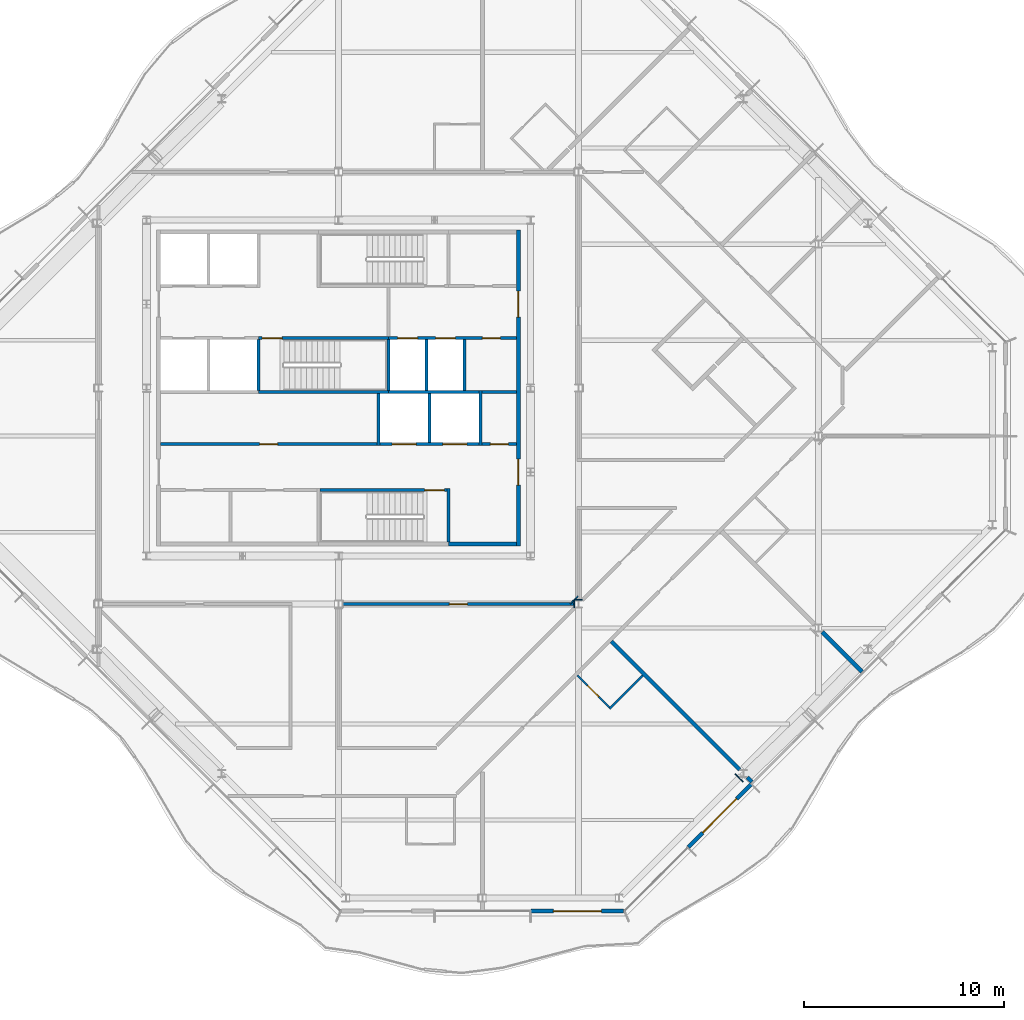
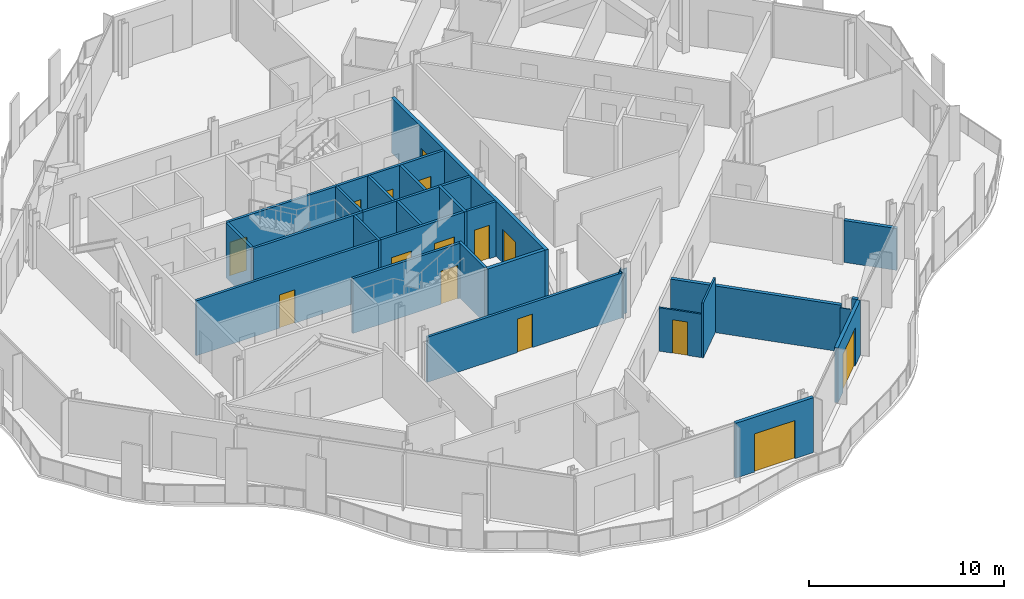
# One storey, part 8 of 16: 31 walls, 15 doors, 15 openings.
"""IFC4 building model written with IfcOpenShell, lengths in metres."""

from ifc_helpers import new_model, si_unit, direction, frame, frame_2d, origin, place, context, subcontext, project, spatial, rectangle, extrude, material, layer, layer_set, type_object, element, fill, save


model = new_model("IFC4")

# Units and contexts
model_context = context("Model", 3, precision=1e-05, world=origin(), true_north=direction((0.0, 1.0)))
body_context = subcontext(model_context, "Body", "Model", "MODEL_VIEW")
ifc_project = project(units=[si_unit("LENGTHUNIT", "METRE"), si_unit("AREAUNIT", "SQUARE_METRE"), si_unit("VOLUMEUNIT", "CUBIC_METRE"), si_unit("PLANEANGLEUNIT", "RADIAN"), si_unit("MASSUNIT", "GRAM", prefix="KILO")], contexts=[model_context])

# Site, building, storey
site_placement = place(None, origin())
site = spatial("IfcSite", under=ifc_project, at=site_placement, CompositionType="ELEMENT")
building_placement = place(site_placement, origin())
building = spatial("IfcBuilding", under=site, at=building_placement, Name="Cairn Pilgrim Tower", CompositionType="ELEMENT")
storey_placement = place(building_placement, frame((0.0, 0.0, 277.800048828125)))
storey = spatial("IfcBuildingStorey", under=building, at=storey_placement, Name="L71", CompositionType="ELEMENT", Elevation=277.800048828125)

# Wall, opening, door
ifc_material_1 = material(Name="Bronze anodised aluminium insulated sandwich panel with mineral wool fill", Category="aluminium")
ifc_layer_1 = layer(ifc_material_1, 0.199951171875)
ifc_layer_set_1 = layer_set([ifc_layer_1], Name="BRONZE INFILL FRAME WALL 200")
wall_type_1 = type_object("IfcWallType", Name="BRONZE INFILL FRAME WALL 200", PredefinedType="NOTDEFINED", material=ifc_layer_set_1)
wall_1_placement = place(storey_placement, frame((16.830078125, -23.75, 0.0), z_axis=(0.0, 0.0, 1.0), x_axis=(1.0, 0.0, 0.0)))
wall_1 = element("IfcWall", 1, at=wall_1_placement, inside=storey, type_object=wall_type_1, Name="Bronze infill frame wall IW-S3", PredefinedType="NOTDEFINED", context=body_context, shape_type="SweptSolid", body=[
    extrude(rectangle(XDim=4.62646484375, YDim=0.199951171875, at=frame_2d((2.313232421875, 0.0))), origin(), (0.0, 0.0, 1.0), 3.449951171875),
])
opening_1_placement = place(wall_1_placement, frame((1.117919921875, 0.0, 0.0)))
opening_1 = element("IfcOpeningElement", 2, at=opening_1_placement, cuts=wall_1, Name="Opening 7101B", PredefinedType="OPENING", context=body_context, shape_type="SweptSolid", body=[
    extrude(rectangle(XDim=2.39990234375, YDim=2.39990234375, at=frame_2d((1.199951171875, 1.199951171875))), frame((0.0, 0.10986328125, 0.0), z_axis=(0.0, -1.0, 0.0), x_axis=(1.0, 0.0, 0.0)), (0.0, 0.0, 1.0), 0.219970703125),
])
ifc_material_2 = material(Name="Bronze anodised aluminium frame with tinted low-E glass", Category="aluminium")
door_type_1 = type_object("IfcDoorType", Name="BALCONY SLIDING DOOR 2400x2400", OperationType="DOUBLE_DOOR_SLIDING", PredefinedType="DOOR", material=ifc_material_2)
door_1_placement = place(opening_1_placement, origin())
door_1 = element("IfcDoor", 3, at=door_1_placement, inside=storey, type_object=door_type_1, Name="Balcony sliding door 7101B", OperationType="SINGLE_SWING_LEFT", OverallHeight=2.39990234375, OverallWidth=2.39990234375, PredefinedType="DOOR", context=body_context, shape_type="SweptSolid", body=[
    extrude(rectangle(XDim=2.39990234375, YDim=2.39990234375, at=frame_2d((1.199951171875, 1.199951171875))), frame((0.0, 0.02490234375, 0.0), z_axis=(0.0, -1.0, 0.0), x_axis=(1.0, 0.0, 0.0)), (0.0, 0.0, 1.0), 0.050048828125),
])
fill(opening_1, door_1)

wall_2_placement = place(storey_placement, frame((24.693359375, -20.55322265625, 0.0), z_axis=(0.0, 0.0, 1.0), x_axis=(0.707079231393, 0.707134329907, 0.0)))
wall_2 = element("IfcWall", 4, at=wall_2_placement, inside=storey, type_object=wall_type_1, Name="Bronze infill frame wall IW-SE2", PredefinedType="NOTDEFINED", context=body_context, shape_type="SweptSolid", body=[
    extrude(rectangle(XDim=4.430908203125, YDim=0.199951171875, at=frame_2d((2.21533203125, 0.0))), origin(), (0.0, 0.0, 1.0), 3.449951171875),
])
opening_2_placement = place(wall_2_placement, frame((1.015380859375, 0.0, 0.0)))
opening_2 = element("IfcOpeningElement", 5, at=opening_2_placement, cuts=wall_2, Name="Opening 7101B2", PredefinedType="OPENING", context=body_context, shape_type="SweptSolid", body=[
    extrude(rectangle(XDim=2.39990234375, YDim=2.39990234375, at=frame_2d((1.199951171875, 1.199951171875))), frame((0.0, 0.10986328125, 0.0), z_axis=(0.0, -1.0, 0.0), x_axis=(1.0, 0.0, 0.0)), (0.0, 0.0, 1.0), 0.219970703125),
])
door_2_placement = place(opening_2_placement, origin())
door_2 = element("IfcDoor", 6, at=door_2_placement, inside=storey, type_object=door_type_1, Name="Balcony sliding door 7101B2", OperationType="SINGLE_SWING_LEFT", OverallHeight=2.39990234375, OverallWidth=2.39990234375, PredefinedType="DOOR", context=body_context, shape_type="SweptSolid", body=[
    extrude(rectangle(XDim=2.39990234375, YDim=2.39990234375, at=frame_2d((1.199951171875, 1.199951171875))), frame((0.0, 0.02490234375, 0.0), z_axis=(0.0, -1.0, 0.0), x_axis=(1.0, 0.0, 0.0)), (0.0, 0.0, 1.0), 0.050048828125),
])
fill(opening_2, door_2)

# Wall
ifc_material_3 = material(Name="Concrete C32/40", Category="concrete")
ifc_layer_2 = layer(ifc_material_3, 0.199951171875)
ifc_layer_set_2 = layer_set([ifc_layer_2], Name="CORE OUTER WALL 200 EI 120")
wall_type_2 = type_object("IfcWallType", Name="CORE OUTER WALL 200 EI 120", PredefinedType="SOLIDWALL", material=ifc_layer_set_2)
wall_3_placement = place(storey_placement, frame((12.699951171875, -5.39990234375, 0.0), z_axis=(0.0, 0.0, 1.0), x_axis=(1.0, 0.0, 0.0)))
element("IfcWall", 7, at=wall_3_placement, inside=storey, type_object=wall_type_2, Name="CW:L71:H01-3", PredefinedType="SOLIDWALL", context=body_context, shape_type="SweptSolid", body=[
    extrude(rectangle(XDim=3.400146484375, YDim=0.199951171875, at=frame_2d((1.7001953125, 0.0))), origin(), (0.0, 0.0, 1.0), 3.449951171875),
])

# Wall, openings, doors
wall_4_placement = place(storey_placement, frame((16.199951171875, -5.5, 0.0), z_axis=(0.0, 0.0, 1.0), x_axis=(0.0, 1.0, 0.0)))
wall_4 = element("IfcWall", 8, at=wall_4_placement, inside=storey, type_object=wall_type_2, Name="CW:L71:V30", PredefinedType="SOLIDWALL", context=body_context, shape_type="SweptSolid", body=[
    extrude(rectangle(XDim=15.800048828125, YDim=0.199951171875, at=frame_2d((7.89990234375, 0.0))), origin(), (0.0, 0.0, 1.0), 3.449951171875),
])
opening_3_placement = place(wall_4_placement, frame((3.050048828125, 0.0, 0.0)))
opening_3 = element("IfcOpeningElement", 9, at=opening_3_placement, cuts=wall_4, Name="Opening CD-E1", PredefinedType="OPENING", context=body_context, shape_type="SweptSolid", body=[
    extrude(rectangle(XDim=1.300048828125, YDim=2.10009765625, at=frame_2d((0.64990234375, 1.050048828125))), frame((0.0, 0.10986328125, 0.0), z_axis=(0.0, -1.0, 0.0), x_axis=(1.0, 0.0, 0.0)), (0.0, 0.0, 1.0), 0.219970703125),
])
opening_4_placement = place(wall_4_placement, frame((11.449951171875, 0.0, 0.0)))
opening_4 = element("IfcOpeningElement", 10, at=opening_4_placement, cuts=wall_4, Name="Opening CD-E2", PredefinedType="OPENING", context=body_context, shape_type="SweptSolid", body=[
    extrude(rectangle(XDim=1.300048828125, YDim=2.10009765625, at=frame_2d((0.64990234375, 1.050048828125))), frame((0.0, 0.10986328125, 0.0), z_axis=(0.0, -1.0, 0.0), x_axis=(1.0, 0.0, 0.0)), (0.0, 0.0, 1.0), 0.219970703125),
])
ifc_material_4 = material(Name="Painted steel", Category="steel")
door_type_2 = type_object("IfcDoorType", Name="CORE LOBBY DOOR 1300x2100", OperationType="DOUBLE_DOOR_SINGLE_SWING", PredefinedType="DOOR", material=ifc_material_4)
door_3_placement = place(opening_3_placement, origin())
door_3 = element("IfcDoor", 11, at=door_3_placement, inside=storey, type_object=door_type_2, Name="CD-E1", OperationType="DOUBLE_DOOR_SINGLE_SWING", OverallHeight=2.10009765625, OverallWidth=1.300048828125, PredefinedType="DOOR", context=body_context, shape_type="SweptSolid", body=[
    extrude(rectangle(XDim=1.300048828125, YDim=2.10009765625, at=frame_2d((0.64990234375, 1.050048828125))), frame((0.0, 0.02490234375, 0.0), z_axis=(0.0, -1.0, 0.0), x_axis=(1.0, 0.0, 0.0)), (0.0, 0.0, 1.0), 0.050048828125),
])
fill(opening_3, door_3)
door_4_placement = place(opening_4_placement, origin())
door_4 = element("IfcDoor", 12, at=door_4_placement, inside=storey, type_object=door_type_2, Name="CD-E2", OperationType="DOUBLE_DOOR_SINGLE_SWING", OverallHeight=2.10009765625, OverallWidth=1.300048828125, PredefinedType="DOOR", context=body_context, shape_type="SweptSolid", body=[
    extrude(rectangle(XDim=1.300048828125, YDim=2.10009765625, at=frame_2d((0.64990234375, 1.050048828125))), frame((0.0, 0.02490234375, 0.0), z_axis=(0.0, -1.0, 0.0), x_axis=(1.0, 0.0, 0.0)), (0.0, 0.0, 1.0), 0.050048828125),
])
fill(opening_4, door_4)

# Wall, opening, door
ifc_layer_3 = layer(ifc_material_3, 0.14990234375)
ifc_layer_set_3 = layer_set([ifc_layer_3], Name="CORE PARTITION 150 EI 60")
wall_type_3 = type_object("IfcWallType", Name="CORE PARTITION 150 EI 60", PredefinedType="PARTITIONING", material=ifc_layer_set_3)
wall_5_placement = place(storey_placement, frame((-1.699951171875, -0.39990234375, 0.0), z_axis=(0.0, 0.0, 1.0), x_axis=(1.0, 0.0, 0.0)))
wall_5 = element("IfcWall", 13, at=wall_5_placement, inside=storey, type_object=wall_type_3, Name="CW:L71:H04", PredefinedType="PARTITIONING", context=body_context, shape_type="SweptSolid", body=[
    extrude(rectangle(XDim=10.824951171875, YDim=0.14990234375, at=frame_2d((5.41259765625, 0.0))), origin(), (0.0, 0.0, 1.0), 3.449951171875),
])
opening_5_placement = place(wall_5_placement, frame((4.949951171875, 0.0, 0.0)))
opening_5 = element("IfcOpeningElement", 14, at=opening_5_placement, cuts=wall_5, Name="Opening RD-R2W1", PredefinedType="OPENING", context=body_context, shape_type="SweptSolid", body=[
    extrude(rectangle(XDim=0.89990234375, YDim=2.10009765625, at=frame_2d((0.449951171875, 1.050048828125))), frame((0.0, 0.0849609375, 0.0), z_axis=(0.0, -1.0, 0.0), x_axis=(1.0, 0.0, 0.0)), (0.0, 0.0, 1.0), 0.169921875),
])
door_type_3 = type_object("IfcDoorType", Name="SERVICE ROOM DOOR 900x2100", OperationType="SINGLE_SWING_LEFT", PredefinedType="DOOR", material=ifc_material_4)
door_5_placement = place(opening_5_placement, origin())
door_5 = element("IfcDoor", 15, at=door_5_placement, inside=storey, type_object=door_type_3, Name="RD-R2W1", OperationType="SINGLE_SWING_RIGHT", OverallHeight=2.10009765625, OverallWidth=0.89990234375, PredefinedType="DOOR", context=body_context, shape_type="SweptSolid", body=[
    extrude(rectangle(XDim=0.89990234375, YDim=2.10009765625, at=frame_2d((0.449951171875, 1.050048828125))), frame((0.0, 0.02490234375, 0.0), z_axis=(0.0, -1.0, 0.0), x_axis=(1.0, 0.0, 0.0)), (0.0, 0.0, 1.0), 0.050048828125),
])
fill(opening_5, door_5)

wall_6_placement = place(storey_placement, frame((14.375, -0.39990234375, 0.0), z_axis=(0.0, 0.0, 1.0), x_axis=(1.0, 0.0, 0.0)))
wall_6 = element("IfcWall", 16, at=wall_6_placement, inside=storey, type_object=wall_type_3, Name="CW:L71:H06", PredefinedType="PARTITIONING", context=body_context, shape_type="SweptSolid", body=[
    extrude(rectangle(XDim=1.72509765625, YDim=0.14990234375, at=frame_2d((0.862548828125, 0.0))), origin(), (0.0, 0.0, 1.0), 3.449951171875),
])
opening_6_placement = place(wall_6_placement, frame((0.425048828125, 0.0, 0.0)))
opening_6 = element("IfcOpeningElement", 17, at=opening_6_placement, cuts=wall_6, Name="Opening RD-R2E", PredefinedType="OPENING", context=body_context, shape_type="SweptSolid", body=[
    extrude(rectangle(XDim=0.89990234375, YDim=2.10009765625, at=frame_2d((0.449951171875, 1.050048828125))), frame((0.0, 0.0849609375, 0.0), z_axis=(0.0, -1.0, 0.0), x_axis=(1.0, 0.0, 0.0)), (0.0, 0.0, 1.0), 0.169921875),
])
door_6_placement = place(opening_6_placement, origin())
door_6 = element("IfcDoor", 18, at=door_6_placement, inside=storey, type_object=door_type_3, Name="RD-R2E", OperationType="SINGLE_SWING_LEFT", OverallHeight=2.10009765625, OverallWidth=0.89990234375, PredefinedType="DOOR", context=body_context, shape_type="SweptSolid", body=[
    extrude(rectangle(XDim=0.89990234375, YDim=2.10009765625, at=frame_2d((0.449951171875, 1.050048828125))), frame((0.0, 0.02490234375, 0.0), z_axis=(0.0, -1.0, 0.0), x_axis=(1.0, 0.0, 0.0)), (0.0, 0.0, 1.0), 0.050048828125),
])
fill(opening_6, door_6)

# Wall
wall_7_placement = place(storey_placement, frame((14.375, 2.199951171875, 0.0), z_axis=(0.0, 0.0, 1.0), x_axis=(1.0, 0.0, 0.0)))
element("IfcWall", 19, at=wall_7_placement, inside=storey, type_object=wall_type_3, Name="CW:L71:H08", PredefinedType="PARTITIONING", context=body_context, shape_type="SweptSolid", body=[
    extrude(rectangle(XDim=1.72509765625, YDim=0.14990234375, at=frame_2d((0.862548828125, 0.0))), origin(), (0.0, 0.0, 1.0), 3.449951171875),
])

# Wall, openings, doors
ifc_layer_4 = layer(ifc_material_3, 0.14990234375)
ifc_layer_set_4 = layer_set([ifc_layer_4], Name="CORE SHAFT WALL 150 EI 120")
wall_type_4 = type_object("IfcWallType", Name="CORE SHAFT WALL 150 EI 120", PredefinedType="SOLIDWALL", material=ifc_layer_set_4)
wall_8_placement = place(storey_placement, frame((9.27490234375, -0.39990234375, 0.0), z_axis=(0.0, 0.0, 1.0), x_axis=(1.0, 0.0, 0.0)))
wall_8 = element("IfcWall", 20, at=wall_8_placement, inside=storey, type_object=wall_type_4, Name="CW:L71:H05", PredefinedType="SOLIDWALL", context=body_context, shape_type="SweptSolid", body=[
    extrude(rectangle(XDim=4.9501953125, YDim=0.14990234375, at=frame_2d((2.47509765625, 0.0))), origin(), (0.0, 0.0, 1.0), 3.449951171875),
])
opening_7_placement = place(wall_8_placement, frame((0.60009765625, 0.0, 0.0)))
opening_7 = element("IfcOpeningElement", 21, at=opening_7_placement, cuts=wall_8, Name="Opening LD-SV1", PredefinedType="OPENING", context=body_context, shape_type="SweptSolid", body=[
    extrude(rectangle(XDim=1.199951171875, YDim=2.10009765625, at=frame_2d((0.60009765625, 1.050048828125))), frame((0.0, 0.0849609375, 0.0), z_axis=(0.0, -1.0, 0.0), x_axis=(1.0, 0.0, 0.0)), (0.0, 0.0, 1.0), 0.169921875),
])
opening_8_placement = place(wall_8_placement, frame((3.14990234375, 0.0, 0.0)))
opening_8 = element("IfcOpeningElement", 22, at=opening_8_placement, cuts=wall_8, Name="Opening LD-SV2", PredefinedType="OPENING", context=body_context, shape_type="SweptSolid", body=[
    extrude(rectangle(XDim=1.199951171875, YDim=2.10009765625, at=frame_2d((0.60009765625, 1.050048828125))), frame((0.0, 0.0849609375, 0.0), z_axis=(0.0, -1.0, 0.0), x_axis=(1.0, 0.0, 0.0)), (0.0, 0.0, 1.0), 0.169921875),
])
ifc_material_5 = material(Name="Stainless steel", Category="steel")
door_type_4 = type_object("IfcDoorType", Name="LIFT LANDING DOOR 1200x2100", OperationType="DOUBLE_DOOR_SLIDING", PredefinedType="DOOR", material=ifc_material_5)
door_7_placement = place(opening_7_placement, origin())
door_7 = element("IfcDoor", 23, at=door_7_placement, inside=storey, type_object=door_type_4, Name="LANDING DOOR SV1", OperationType="DOUBLE_DOOR_SLIDING", OverallHeight=2.10009765625, OverallWidth=1.199951171875, PredefinedType="DOOR", context=body_context, shape_type="SweptSolid", body=[
    extrude(rectangle(XDim=1.199951171875, YDim=2.10009765625, at=frame_2d((0.60009765625, 1.050048828125))), frame((0.0, 0.02490234375, 0.0), z_axis=(0.0, -1.0, 0.0), x_axis=(1.0, 0.0, 0.0)), (0.0, 0.0, 1.0), 0.050048828125),
])
fill(opening_7, door_7)
door_8_placement = place(opening_8_placement, origin())
door_8 = element("IfcDoor", 24, at=door_8_placement, inside=storey, type_object=door_type_4, Name="LANDING DOOR SV2", OperationType="DOUBLE_DOOR_SLIDING", OverallHeight=2.10009765625, OverallWidth=1.199951171875, PredefinedType="DOOR", context=body_context, shape_type="SweptSolid", body=[
    extrude(rectangle(XDim=1.199951171875, YDim=2.10009765625, at=frame_2d((0.60009765625, 1.050048828125))), frame((0.0, 0.02490234375, 0.0), z_axis=(0.0, -1.0, 0.0), x_axis=(1.0, 0.0, 0.0)), (0.0, 0.0, 1.0), 0.050048828125),
])
fill(opening_8, door_8)

# Wall
wall_9_placement = place(storey_placement, frame((9.699951171875, 2.199951171875, 0.0), z_axis=(0.0, 0.0, 1.0), x_axis=(1.0, 0.0, 0.0)))
element("IfcWall", 25, at=wall_9_placement, inside=storey, type_object=wall_type_4, Name="CW:L71:H07-3", PredefinedType="SOLIDWALL", context=body_context, shape_type="SweptSolid", body=[
    extrude(rectangle(XDim=4.525146484375, YDim=0.14990234375, at=frame_2d((2.2626953125, 0.0))), origin(), (0.0, 0.0, 1.0), 3.449951171875),
])

# Wall, openings, doors
wall_10_placement = place(storey_placement, frame((9.699951171875, 4.89990234375, 0.0), z_axis=(0.0, 0.0, 1.0), x_axis=(1.0, 0.0, 0.0)))
wall_10 = element("IfcWall", 26, at=wall_10_placement, inside=storey, type_object=wall_type_4, Name="CW:L71:H09-3", PredefinedType="SOLIDWALL", context=body_context, shape_type="SweptSolid", body=[
    extrude(rectangle(XDim=6.400146484375, YDim=0.14990234375, at=frame_2d((3.2001953125, 0.0))), origin(), (0.0, 0.0, 1.0), 3.449951171875),
])
opening_9_placement = place(wall_10_placement, frame((0.449951171875, 0.0, 0.0)))
opening_9 = element("IfcOpeningElement", 27, at=opening_9_placement, cuts=wall_10, Name="Opening LD-FF1", PredefinedType="OPENING", context=body_context, shape_type="SweptSolid", body=[
    extrude(rectangle(XDim=1.0, YDim=2.10009765625, at=frame_2d((0.5, 1.050048828125))), frame((0.0, 0.0849609375, 0.0), z_axis=(0.0, -1.0, 0.0), x_axis=(1.0, 0.0, 0.0)), (0.0, 0.0, 1.0), 0.169921875),
])
opening_10_placement = place(wall_10_placement, frame((2.35009765625, 0.0, 0.0)))
opening_10 = element("IfcOpeningElement", 28, at=opening_10_placement, cuts=wall_10, Name="Opening LD-FF2", PredefinedType="OPENING", context=body_context, shape_type="SweptSolid", body=[
    extrude(rectangle(XDim=1.0, YDim=2.10009765625, at=frame_2d((0.5, 1.050048828125))), frame((0.0, 0.0849609375, 0.0), z_axis=(0.0, -1.0, 0.0), x_axis=(1.0, 0.0, 0.0)), (0.0, 0.0, 1.0), 0.169921875),
])
opening_11_placement = place(wall_10_placement, frame((4.699951171875, 0.0, 0.0)))
opening_11 = element("IfcOpeningElement", 29, at=opening_11_placement, cuts=wall_10, Name="Opening RD-R3E", PredefinedType="OPENING", context=body_context, shape_type="SweptSolid", body=[
    extrude(rectangle(XDim=0.89990234375, YDim=2.10009765625, at=frame_2d((0.449951171875, 1.050048828125))), frame((0.0, 0.0849609375, 0.0), z_axis=(0.0, -1.0, 0.0), x_axis=(1.0, 0.0, 0.0)), (0.0, 0.0, 1.0), 0.169921875),
])
door_type_5 = type_object("IfcDoorType", Name="LIFT LANDING DOOR FIRE 1000x2100", OperationType="DOUBLE_DOOR_SLIDING", PredefinedType="DOOR", material=ifc_material_5)
door_9_placement = place(opening_9_placement, origin())
door_9 = element("IfcDoor", 30, at=door_9_placement, inside=storey, type_object=door_type_5, Name="LANDING DOOR FF1", OperationType="DOUBLE_DOOR_SLIDING", OverallHeight=2.10009765625, OverallWidth=1.0, PredefinedType="DOOR", context=body_context, shape_type="SweptSolid", body=[
    extrude(rectangle(XDim=1.0, YDim=2.10009765625, at=frame_2d((0.5, 1.050048828125))), frame((0.0, 0.02490234375, 0.0), z_axis=(0.0, -1.0, 0.0), x_axis=(1.0, 0.0, 0.0)), (0.0, 0.0, 1.0), 0.050048828125),
])
fill(opening_9, door_9)
door_10_placement = place(opening_10_placement, origin())
door_10 = element("IfcDoor", 31, at=door_10_placement, inside=storey, type_object=door_type_5, Name="LANDING DOOR FF2", OperationType="DOUBLE_DOOR_SLIDING", OverallHeight=2.10009765625, OverallWidth=1.0, PredefinedType="DOOR", context=body_context, shape_type="SweptSolid", body=[
    extrude(rectangle(XDim=1.0, YDim=2.10009765625, at=frame_2d((0.5, 1.050048828125))), frame((0.0, 0.02490234375, 0.0), z_axis=(0.0, -1.0, 0.0), x_axis=(1.0, 0.0, 0.0)), (0.0, 0.0, 1.0), 0.050048828125),
])
fill(opening_10, door_10)
door_11_placement = place(opening_11_placement, origin())
door_11 = element("IfcDoor", 32, at=door_11_placement, inside=storey, type_object=door_type_3, Name="RD-R3E", OperationType="SINGLE_SWING_RIGHT", OverallHeight=2.10009765625, OverallWidth=0.89990234375, PredefinedType="DOOR", context=body_context, shape_type="SweptSolid", body=[
    extrude(rectangle(XDim=0.89990234375, YDim=2.10009765625, at=frame_2d((0.449951171875, 1.050048828125))), frame((0.0, 0.02490234375, 0.0), z_axis=(0.0, -1.0, 0.0), x_axis=(1.0, 0.0, 0.0)), (0.0, 0.0, 1.0), 0.050048828125),
])
fill(opening_11, door_11)

# Walls
wall_11_placement = place(storey_placement, frame((9.199951171875, -0.47509765625, 0.0), z_axis=(0.0, 0.0, 1.0), x_axis=(0.0, 1.0, 0.0)))
element("IfcWall", 33, at=wall_11_placement, inside=storey, type_object=wall_type_4, Name="CW:L71:V21", PredefinedType="SOLIDWALL", context=body_context, shape_type="SweptSolid", body=[
    extrude(rectangle(XDim=2.60009765625, YDim=0.14990234375, at=frame_2d((1.300048828125, 0.0))), origin(), (0.0, 0.0, 1.0), 3.449951171875),
])
wall_12_placement = place(storey_placement, frame((11.60009765625, 2.27490234375, 0.0), z_axis=(0.0, 0.0, 1.0), x_axis=(0.0, 1.0, 0.0)))
element("IfcWall", 34, at=wall_12_placement, inside=storey, type_object=wall_type_4, Name="CW:L71:V24", PredefinedType="SOLIDWALL", context=body_context, shape_type="SweptSolid", body=[
    extrude(rectangle(XDim=2.550048828125, YDim=0.14990234375, at=frame_2d((1.27490234375, 0.0))), origin(), (0.0, 0.0, 1.0), 3.449951171875),
])
wall_13_placement = place(storey_placement, frame((11.75, -0.324951171875, 0.0), z_axis=(0.0, 0.0, 1.0), x_axis=(0.0, 1.0, 0.0)))
element("IfcWall", 35, at=wall_13_placement, inside=storey, type_object=wall_type_4, Name="CW:L71:V25", PredefinedType="SOLIDWALL", context=body_context, shape_type="SweptSolid", body=[
    extrude(rectangle(XDim=2.449951171875, YDim=0.14990234375, at=frame_2d((1.22509765625, 0.0))), origin(), (0.0, 0.0, 1.0), 3.449951171875),
])
wall_14_placement = place(storey_placement, frame((13.5, 2.27490234375, 0.0), z_axis=(0.0, 0.0, 1.0), x_axis=(0.0, 1.0, 0.0)))
element("IfcWall", 36, at=wall_14_placement, inside=storey, type_object=wall_type_4, Name="CW:L71:V28", PredefinedType="SOLIDWALL", context=body_context, shape_type="SweptSolid", body=[
    extrude(rectangle(XDim=2.550048828125, YDim=0.14990234375, at=frame_2d((1.27490234375, 0.0))), origin(), (0.0, 0.0, 1.0), 3.449951171875),
])
wall_15_placement = place(storey_placement, frame((14.300048828125, -0.47509765625, 0.0), z_axis=(0.0, 0.0, 1.0), x_axis=(0.0, 1.0, 0.0)))
element("IfcWall", 37, at=wall_15_placement, inside=storey, type_object=wall_type_4, Name="CW:L71:V29", PredefinedType="SOLIDWALL", context=body_context, shape_type="SweptSolid", body=[
    extrude(rectangle(XDim=2.75, YDim=0.14990234375, at=frame_2d((1.375, 0.0))), origin(), (0.0, 0.0, 1.0), 3.449951171875),
])

# Wall, opening, door
ifc_material_6 = material(Name="Gypsum partition")
ifc_layer_5 = layer(ifc_material_6, 0.10009765625)
ifc_layer_set_5 = layer_set([ifc_layer_5], Name="PARTITION 100 DRYWALL")
wall_type_5 = type_object("IfcWallType", Name="PARTITION 100 DRYWALL", PredefinedType="PARTITIONING", material=ifc_layer_set_5)
wall_16_placement = place(storey_placement, frame((20.74951171875, -13.567626953125, 0.0), z_axis=(0.0, 0.0, 1.0), x_axis=(-0.707053116953, 0.707160441348, 0.0)))
wall_16 = element("IfcWall", 38, at=wall_16_placement, inside=storey, type_object=wall_type_5, Name="PARTITION W016", PredefinedType="PARTITIONING", context=body_context, shape_type="SweptSolid", body=[
    extrude(rectangle(XDim=2.27490234375, YDim=0.10009765625, at=frame_2d((1.137451171875, 0.0))), origin(), (0.0, 0.0, 1.0), 2.72998046875),
])
opening_12_placement = place(wall_16_placement, frame((0.75, 0.0, 0.0)))
opening_12 = element("IfcOpeningElement", 39, at=opening_12_placement, cuts=wall_16, Name="Opening 7101A", PredefinedType="OPENING", context=body_context, shape_type="SweptSolid", body=[
    extrude(rectangle(XDim=0.800048828125, YDim=2.10009765625, at=frame_2d((0.39990234375, 1.050048828125))), frame((0.0, 0.06005859375, 0.0), z_axis=(0.0, -1.0, 0.0), x_axis=(1.0, 0.0, 0.0)), (0.0, 0.0, 1.0), 0.1201171875),
])
ifc_material_7 = material(Name="Timber door leaf", Category="wood")
door_type_6 = type_object("IfcDoorType", Name="WC DOOR 800x2100", OperationType="NOTDEFINED", PredefinedType="DOOR", material=ifc_material_7)
door_12_placement = place(opening_12_placement, origin())
door_12 = element("IfcDoor", 40, at=door_12_placement, inside=storey, type_object=door_type_6, Name="DOOR 7101A", OperationType="SINGLE_SWING_LEFT", OverallHeight=2.10009765625, OverallWidth=0.800048828125, PredefinedType="DOOR", context=body_context, shape_type="SweptSolid", body=[
    extrude(rectangle(XDim=0.800048828125, YDim=2.10009765625, at=frame_2d((0.39990234375, 1.050048828125))), frame((0.0, 0.02490234375, 0.0), z_axis=(0.0, -1.0, 0.0), x_axis=(1.0, 0.0, 0.0)), (0.0, 0.0, 1.0), 0.050048828125),
])
fill(opening_12, door_12)

# Wall
wall_17_placement = place(storey_placement, frame((20.74951171875, -13.638427734375, 0.0), z_axis=(0.0, 0.0, 1.0), x_axis=(0.707158722772, 0.707054835785, 0.0)))
element("IfcWall", 41, at=wall_17_placement, inside=storey, type_object=wall_type_5, Name="PARTITION W017", PredefinedType="PARTITIONING", context=body_context, shape_type="SweptSolid", body=[
    extrude(rectangle(XDim=2.35009765625, YDim=0.10009765625, at=frame_2d((1.175048828125, 0.0))), origin(), (0.0, 0.0, 1.0), 3.449951171875),
])

# Wall, opening, door
ifc_layer_6 = layer(ifc_material_6, 0.14990234375)
ifc_layer_set_6 = layer_set([ifc_layer_6], Name="PARTITION 150 DRYWALL EI 60")
wall_type_6 = type_object("IfcWallType", Name="PARTITION 150 DRYWALL EI 60", PredefinedType="PARTITIONING", material=ifc_layer_set_6)
wall_18_placement = place(storey_placement, frame((7.39697265625, -8.39990234375, 0.0), z_axis=(0.0, 0.0, 1.0), x_axis=(1.0, 0.0, 0.0)))
wall_18 = element("IfcWall", 42, at=wall_18_placement, inside=storey, type_object=wall_type_6, Name="PARTITION W023", PredefinedType="PARTITIONING", context=body_context, shape_type="SweptSolid", body=[
    extrude(rectangle(XDim=11.60595703125, YDim=0.14990234375, at=frame_2d((5.802978515625, 0.0))), origin(), (0.0, 0.0, 1.0), 2.829833984375),
])
opening_13_placement = place(wall_18_placement, frame((5.35302734375, 0.0, 0.0)))
opening_13 = element("IfcOpeningElement", 43, at=opening_13_placement, cuts=wall_18, Name="Opening 7118", PredefinedType="OPENING", context=body_context, shape_type="SweptSolid", body=[
    extrude(rectangle(XDim=0.89990234375, YDim=2.10009765625, at=frame_2d((0.449951171875, 1.050048828125))), frame((0.0, 0.0849609375, 0.0), z_axis=(0.0, -1.0, 0.0), x_axis=(1.0, 0.0, 0.0)), (0.0, 0.0, 1.0), 0.169921875),
])
door_type_7 = type_object("IfcDoorType", Name="SERVICE DOOR 900x2100 FD30S", OperationType="NOTDEFINED", PredefinedType="DOOR", material=ifc_material_7)
door_13_placement = place(opening_13_placement, frame((0.89990234375, 0.0, 0.0), z_axis=(0.0, 0.0, 1.0), x_axis=(-1.0, 0.0, 0.0)))
door_13 = element("IfcDoor", 44, at=door_13_placement, inside=storey, type_object=door_type_7, Name="DOOR 7118", OperationType="SINGLE_SWING_RIGHT", OverallHeight=2.10009765625, OverallWidth=0.89990234375, PredefinedType="DOOR", context=body_context, shape_type="SweptSolid", body=[
    extrude(rectangle(XDim=0.89990234375, YDim=2.10009765625, at=frame_2d((0.449951171875, 1.050048828125))), frame((0.0, 0.02490234375, 0.0), z_axis=(0.0, -1.0, 0.0), x_axis=(1.0, 0.0, 0.0)), (0.0, 0.0, 1.0), 0.050048828125),
])
fill(opening_13, door_13)

# Walls
ifc_layer_7 = layer(ifc_material_6, 0.050048828125)
ifc_layer_set_7 = layer_set([ifc_layer_7], Name="PARTITION 50 DRYWALL EI 60")
wall_type_7 = type_object("IfcWallType", Name="PARTITION 50 DRYWALL EI 60", PredefinedType="PARTITIONING", material=ifc_layer_set_7)
wall_19_placement = place(storey_placement, frame((27.433837890625, -17.289306640625, 0.0), z_axis=(0.0, 0.0, 1.0), x_axis=(-0.707106781187, 0.707106781187, 0.0)))
element("IfcWall", 45, at=wall_19_placement, inside=storey, type_object=wall_type_7, Name="COLUMN CASING WC03", PredefinedType="PARTITIONING", context=body_context, shape_type="SweptSolid", body=[
    extrude(rectangle(XDim=0.56005859375, YDim=0.050048828125, at=frame_2d((0.280029296875, 0.0))), origin(), (0.0, 0.0, 1.0), 2.929931640625),
])
wall_20_placement = place(storey_placement, frame((18.7978515625, -8.38232421875, 0.0), z_axis=(0.0, 0.0, 1.0), x_axis=(0.707106781187, 0.707106781187, 0.0)))
element("IfcWall", 46, at=wall_20_placement, inside=storey, type_object=wall_type_7, Name="COLUMN CASING WC05", PredefinedType="PARTITIONING", context=body_context, shape_type="SweptSolid", body=[
    extrude(rectangle(XDim=0.543701171875, YDim=0.050048828125, at=frame_2d((0.27197265625, 0.0))), origin(), (0.0, 0.0, 1.0), 2.829833984375),
])
wall_21_placement = place(storey_placement, frame((19.0029296875, -8.1875, 0.0), z_axis=(0.0, 0.0, 1.0), x_axis=(1.0, 0.0, 0.0)))
element("IfcWall", 47, at=wall_21_placement, inside=storey, type_object=wall_type_7, Name="COLUMN CASING WC13", PredefinedType="PARTITIONING", context=body_context, shape_type="SweptSolid", body=[
    extrude(rectangle(XDim=0.39404296875, YDim=0.050048828125, at=frame_2d((0.197021484375, 0.0))), origin(), (0.0, 0.0, 1.0), 2.829833984375),
])
wall_22_placement = place(storey_placement, frame((18.97802734375, -8.58740234375, 0.0), z_axis=(0.0, 0.0, 1.0), x_axis=(0.0, 1.0, 0.0)))
element("IfcWall", 48, at=wall_22_placement, inside=storey, type_object=wall_type_7, Name="COLUMN CASING WC14", PredefinedType="PARTITIONING", context=body_context, shape_type="SweptSolid", body=[
    extrude(rectangle(XDim=0.375, YDim=0.050048828125, at=frame_2d((0.1875, 0.0))), origin(), (0.0, 0.0, 1.0), 2.829833984375),
])
ifc_layer_8 = layer(ifc_material_6, 0.199951171875)
ifc_layer_set_8 = layer_set([ifc_layer_8], Name="SHAFT WALL 200 GYPSUM EI 60")
wall_type_8 = type_object("IfcWallType", Name="SHAFT WALL 200 GYPSUM EI 60", PredefinedType="PARTITIONING", material=ifc_layer_set_8)
wall_23_placement = place(storey_placement, frame((27.868896484375, -17.292724609375, 0.0), z_axis=(0.0, 0.0, 1.0), x_axis=(-0.707106781187, 0.707106781187, 0.0)))
element("IfcWall", 49, at=wall_23_placement, inside=storey, type_object=wall_type_8, Name="PARTITION W008", PredefinedType="PARTITIONING", context=body_context, shape_type="SweptSolid", body=[
    extrude(rectangle(XDim=0.31005859375, YDim=0.199951171875, at=frame_2d((0.155029296875, 0.0))), origin(), (0.0, 0.0, 1.0), 3.449951171875),
])
wall_24_placement = place(storey_placement, frame((27.253662109375, -16.677490234375, 0.0), z_axis=(0.0, 0.0, 1.0), x_axis=(-0.707120235152, 0.707093326965, 0.0)))
element("IfcWall", 50, at=wall_24_placement, inside=storey, type_object=wall_type_8, Name="PARTITION W009", PredefinedType="PARTITIONING", context=body_context, shape_type="SweptSolid", body=[
    extrude(rectangle(XDim=9.072998046875, YDim=0.199951171875, at=frame_2d((4.53662109375, 0.0))), origin(), (0.0, 0.0, 1.0), 2.929931640625),
])
wall_25_placement = place(storey_placement, frame((33.380859375, -11.78076171875, 0.0), z_axis=(0.0, 0.0, 1.0), x_axis=(-0.707106781187, 0.707106781187, 0.0)))
element("IfcWall", 51, at=wall_25_placement, inside=storey, type_object=wall_type_8, Name="PARTITION W018", PredefinedType="PARTITIONING", context=body_context, shape_type="SweptSolid", body=[
    extrude(rectangle(XDim=2.812255859375, YDim=0.199951171875, at=frame_2d((1.40625, 0.0))), origin(), (0.0, 0.0, 1.0), 2.6298828125),
])

# Wall, opening, door
ifc_material_8 = material(Name="Concrete C35/45", Category="concrete")
ifc_layer_9 = layer(ifc_material_8, 0.14990234375)
ifc_layer_set_9 = layer_set([ifc_layer_9], Name="STAIR SHAFT WALL 150 EI 120")
wall_type_9 = type_object("IfcWallType", Name="STAIR SHAFT WALL 150 EI 120", PredefinedType="SOLIDWALL", material=ifc_layer_set_9)
wall_26_placement = place(storey_placement, frame((6.27490234375, -2.699951171875, 0.0), z_axis=(0.0, 0.0, 1.0), x_axis=(1.0, 0.0, 0.0)))
wall_26 = element("IfcWall", 52, at=wall_26_placement, inside=storey, type_object=wall_type_9, Name="CW:L71:H03", PredefinedType="SOLIDWALL", context=body_context, shape_type="SweptSolid", body=[
    extrude(rectangle(XDim=6.35009765625, YDim=0.14990234375, at=frame_2d((3.175048828125, 0.0))), origin(), (0.0, 0.0, 1.0), 3.449951171875),
])
opening_14_placement = place(wall_26_placement, frame((5.22509765625, 0.0, 0.0)))
opening_14 = element("IfcOpeningElement", 53, at=opening_14_placement, cuts=wall_26, Name="Opening SD-A", PredefinedType="OPENING", context=body_context, shape_type="SweptSolid", body=[
    extrude(rectangle(XDim=1.0, YDim=2.10009765625, at=frame_2d((0.5, 1.050048828125))), frame((0.0, 0.0849609375, 0.0), z_axis=(0.0, -1.0, 0.0), x_axis=(1.0, 0.0, 0.0)), (0.0, 0.0, 1.0), 0.169921875),
])
door_type_8 = type_object("IfcDoorType", Name="STAIR DOOR FD60S 1000x2100", OperationType="SINGLE_SWING_LEFT", PredefinedType="DOOR", material=ifc_material_4)
door_14_placement = place(opening_14_placement, origin())
door_14 = element("IfcDoor", 54, at=door_14_placement, inside=storey, type_object=door_type_8, Name="SD-A", OperationType="SINGLE_SWING_RIGHT", OverallHeight=2.10009765625, OverallWidth=1.0, PredefinedType="DOOR", context=body_context, shape_type="SweptSolid", body=[
    extrude(rectangle(XDim=1.0, YDim=2.10009765625, at=frame_2d((0.5, 1.050048828125))), frame((0.0, 0.02490234375, 0.0), z_axis=(0.0, -1.0, 0.0), x_axis=(1.0, 0.0, 0.0)), (0.0, 0.0, 1.0), 0.050048828125),
])
fill(opening_14, door_14)

# Wall
wall_27_placement = place(storey_placement, frame((3.199951171875, 2.199951171875, 0.0), z_axis=(0.0, 0.0, 1.0), x_axis=(1.0, 0.0, 0.0)))
element("IfcWall", 55, at=wall_27_placement, inside=storey, type_object=wall_type_9, Name="CW:L71:H07-2", PredefinedType="SOLIDWALL", context=body_context, shape_type="SweptSolid", body=[
    extrude(rectangle(XDim=6.5, YDim=0.14990234375, at=frame_2d((3.25, 0.0))), origin(), (0.0, 0.0, 1.0), 3.449951171875),
])

# Wall, opening, door
wall_28_placement = place(storey_placement, frame((3.199951171875, 4.89990234375, 0.0), z_axis=(0.0, 0.0, 1.0), x_axis=(1.0, 0.0, 0.0)))
wall_28 = element("IfcWall", 56, at=wall_28_placement, inside=storey, type_object=wall_type_9, Name="CW:L71:H09-2", PredefinedType="SOLIDWALL", context=body_context, shape_type="SweptSolid", body=[
    extrude(rectangle(XDim=6.5, YDim=0.14990234375, at=frame_2d((3.25, 0.0))), origin(), (0.0, 0.0, 1.0), 3.449951171875),
])
opening_15_placement = place(wall_28_placement, frame((0.175048828125, 0.0, 0.0)))
opening_15 = element("IfcOpeningElement", 57, at=opening_15_placement, cuts=wall_28, Name="Opening SD-B", PredefinedType="OPENING", context=body_context, shape_type="SweptSolid", body=[
    extrude(rectangle(XDim=1.0, YDim=2.10009765625, at=frame_2d((0.5, 1.050048828125))), frame((0.0, 0.0849609375, 0.0), z_axis=(0.0, -1.0, 0.0), x_axis=(1.0, 0.0, 0.0)), (0.0, 0.0, 1.0), 0.169921875),
])
door_15_placement = place(opening_15_placement, origin())
door_15 = element("IfcDoor", 58, at=door_15_placement, inside=storey, type_object=door_type_8, Name="SD-B", OperationType="SINGLE_SWING_LEFT", OverallHeight=2.10009765625, OverallWidth=1.0, PredefinedType="DOOR", context=body_context, shape_type="SweptSolid", body=[
    extrude(rectangle(XDim=1.0, YDim=2.10009765625, at=frame_2d((0.5, 1.050048828125))), frame((0.0, 0.02490234375, 0.0), z_axis=(0.0, -1.0, 0.0), x_axis=(1.0, 0.0, 0.0)), (0.0, 0.0, 1.0), 0.050048828125),
])
fill(opening_15, door_15)

# Walls
for number, where, z_axis, x_axis, name in (
    (59, (3.199951171875, 2.27490234375, 0.0), (0.0, 0.0, 1.0), (0.0, 1.0, 0.0), "CW:L71:V17"),
    (60, (9.699951171875, 2.27490234375, 0.0), (0.0, 0.0, 1.0), (0.0, 1.0, 0.0), "CW:L71:V22"),
):
    element("IfcWall", number, at=place(storey_placement, frame(where, z_axis=z_axis, x_axis=x_axis)), inside=storey, type_object=wall_type_9, Name=name, PredefinedType="SOLIDWALL", context=body_context, shape_type="SweptSolid", body=[
        extrude(rectangle(XDim=2.550048828125, YDim=0.14990234375, at=frame_2d((1.27490234375, 0.0))), origin(), (0.0, 0.0, 1.0), 3.449951171875),
    ])
wall_29_placement = place(storey_placement, frame((12.699951171875, -5.300048828125, 0.0), z_axis=(0.0, 0.0, 1.0), x_axis=(0.0, 1.0, 0.0)))
element("IfcWall", 61, at=wall_29_placement, inside=storey, type_object=wall_type_9, Name="CW:L71:V26", PredefinedType="SOLIDWALL", context=body_context, shape_type="SweptSolid", body=[
    extrude(rectangle(XDim=2.675048828125, YDim=0.14990234375, at=frame_2d((1.33740234375, 0.0))), origin(), (0.0, 0.0, 1.0), 3.449951171875),
])

save(model, "model.ifc")
